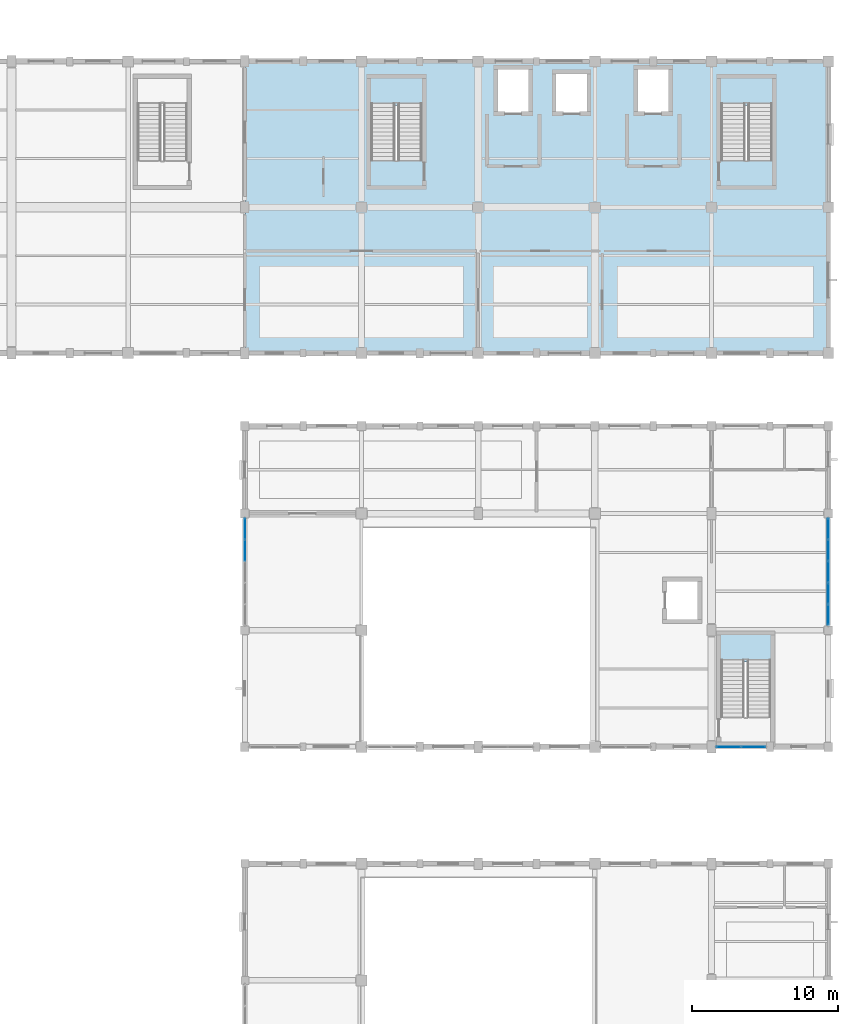
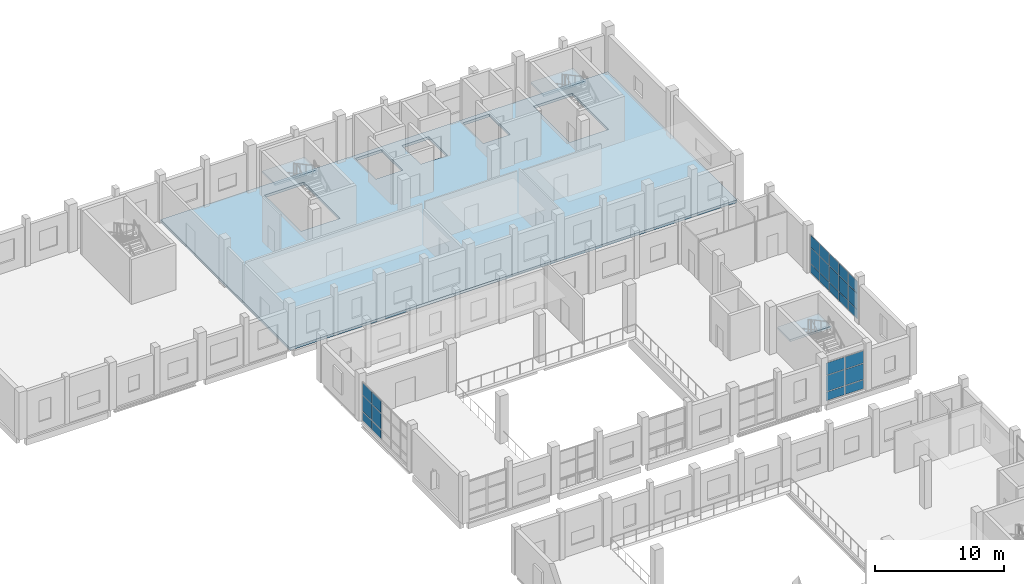
# One storey, part 130 of 183: 27 plates, 4 slabs, 6 elements without a shape of their own.
"""IFC4 building model written with IfcOpenShell, lengths in metres."""

from ifc_helpers import new_model, si_unit, direction, frame, origin, origin_2d, place, context, subcontext, project, spatial, polyline, rectangle, outline, extrude, material, layer, layer_set, type_object, element, aggregate, save


model = new_model("IFC4")

# Units and contexts
model_context = context("Model", 3, precision=1e-05, world=origin(), true_north=direction((0.0, 1.0)))
body_context = subcontext(model_context, "Body", "Model", "MODEL_VIEW")
ifc_project = project(units=[si_unit("LENGTHUNIT", "METRE"), si_unit("AREAUNIT", "SQUARE_METRE"), si_unit("VOLUMEUNIT", "CUBIC_METRE"), si_unit("PLANEANGLEUNIT", "RADIAN"), si_unit("MASSUNIT", "GRAM", prefix="KILO")], contexts=[model_context])

# Site, building, storey
site_placement = place(None, origin())
site = spatial("IfcSite", under=ifc_project, at=site_placement, CompositionType="ELEMENT")
building_placement = place(site_placement, origin())
building = spatial("IfcBuilding", under=site, at=building_placement, Name="Luwemba Playhouse", CompositionType="ELEMENT")
storey_placement = place(building_placement, frame((0.0, 0.0, 4.800048828125)))
storey = spatial("IfcBuildingStorey", under=building, at=storey_placement, Name="L01", CompositionType="ELEMENT", Elevation=4.800048828125)

# Curtain wall, plates
ifc_material_1 = material(Name="Solar-control double glazing", Category="glass")
curtain_wall_type_1 = type_object("IfcCurtainWallType", Name="CW-CW84", PredefinedType="USERDEFINED", material=ifc_material_1)
curtain_wall_1_placement = place(storey_placement, origin())
curtain_wall_1 = element("IfcCurtainWall", 1, at=curtain_wall_1_placement, inside=storey, type_object=curtain_wall_type_1, Name="L01 V4 unitised curtain wall 114", ObjectType="UNITISED GLAZING", PredefinedType="USERDEFINED")
ifc_layer_1 = layer(ifc_material_1, 0.02392578125)
ifc_layer_set_1 = layer_set([ifc_layer_1], Name="Solar-control double glazing")
plate_type_1 = type_object("IfcPlateType", Name="CWP-P1", PredefinedType="CURTAIN_PANEL", material=ifc_layer_set_1)
plate_1_placement = place(storey_placement, frame((166.87255859375, 68.0, 0.059814453125), z_axis=(0.0, 0.0, 1.0), x_axis=(-1.0, 0.0, 0.0)))
plate_1 = element("IfcPlate", 2, at=plate_1_placement, type_object=plate_type_1, Name="CW84 panel 1.1", PredefinedType="CURTAIN_PANEL", context=body_context, shape_type="SweptSolid", body=[
    extrude(rectangle(XDim=1.635009765625, YDim=0.02392578125, at=origin_2d()), origin(), (0.0, 0.0, 1.0), 0.81005859375),
])
plate_2_placement = place(storey_placement, frame((166.87255859375, 68.0, 0.93017578125), z_axis=(0.0, 0.0, 1.0), x_axis=(-1.0, 0.0, 0.0)))
plate_2 = element("IfcPlate", 3, at=plate_2_placement, type_object=plate_type_1, Name="CW84 panel 1.2", PredefinedType="CURTAIN_PANEL", context=body_context, shape_type="SweptSolid", body=[
    extrude(rectangle(XDim=1.635009765625, YDim=0.02392578125, at=origin_2d()), origin(), (0.0, 0.0, 1.0), 1.489990234375),
])
plate_3_placement = place(storey_placement, frame((166.87255859375, 68.0, 2.47998046875), z_axis=(0.0, 0.0, 1.0), x_axis=(-1.0, 0.0, 0.0)))
plate_3 = element("IfcPlate", 4, at=plate_3_placement, type_object=plate_type_1, Name="CW84 panel 1.3", PredefinedType="CURTAIN_PANEL", context=body_context, shape_type="SweptSolid", body=[
    extrude(rectangle(XDim=1.635009765625, YDim=0.02392578125, at=origin_2d()), origin(), (0.0, 0.0, 1.0), 1.14501953125),
])
plate_4_placement = place(storey_placement, frame((165.177490234375, 68.0, 0.059814453125), z_axis=(0.0, 0.0, 1.0), x_axis=(-1.0, 0.0, 0.0)))
plate_4 = element("IfcPlate", 5, at=plate_4_placement, type_object=plate_type_1, Name="CW84 panel 2.1", PredefinedType="CURTAIN_PANEL", context=body_context, shape_type="SweptSolid", body=[
    extrude(rectangle(XDim=1.635009765625, YDim=0.02392578125, at=origin_2d()), origin(), (0.0, 0.0, 1.0), 0.81005859375),
])
plate_5_placement = place(storey_placement, frame((165.177490234375, 68.0, 0.93017578125), z_axis=(0.0, 0.0, 1.0), x_axis=(-1.0, 0.0, 0.0)))
plate_5 = element("IfcPlate", 6, at=plate_5_placement, type_object=plate_type_1, Name="CW84 panel 2.2", PredefinedType="CURTAIN_PANEL", context=body_context, shape_type="SweptSolid", body=[
    extrude(rectangle(XDim=1.635009765625, YDim=0.02392578125, at=origin_2d()), origin(), (0.0, 0.0, 1.0), 1.489990234375),
])
plate_6_placement = place(storey_placement, frame((165.177490234375, 68.0, 2.47998046875), z_axis=(0.0, 0.0, 1.0), x_axis=(-1.0, 0.0, 0.0)))
plate_6 = element("IfcPlate", 7, at=plate_6_placement, type_object=plate_type_1, Name="CW84 panel 2.3", PredefinedType="CURTAIN_PANEL", context=body_context, shape_type="SweptSolid", body=[
    extrude(rectangle(XDim=1.635009765625, YDim=0.02392578125, at=origin_2d()), origin(), (0.0, 0.0, 1.0), 1.14501953125),
])
aggregate(curtain_wall_1, [plate_1, plate_2, plate_3, plate_4, plate_5, plate_6])

curtain_wall_type_2 = type_object("IfcCurtainWallType", Name="CW-CW82", PredefinedType="USERDEFINED", material=ifc_material_1)
curtain_wall_2_placement = place(storey_placement, origin())
curtain_wall_2 = element("IfcCurtainWall", 8, at=curtain_wall_2_placement, inside=storey, type_object=curtain_wall_type_2, Name="L01 V4 unitised curtain wall 112", ObjectType="UNITISED GLAZING", PredefinedType="USERDEFINED")
ifc_layer_2 = layer(ifc_material_1, 0.031982421875)
ifc_layer_set_2 = layer_set([ifc_layer_2], Name="Solar-control double glazing")
plate_type_2 = type_object("IfcPlateType", Name="CWP-P3", PredefinedType="CURTAIN_PANEL", material=ifc_layer_set_2)
plate_7_placement = place(storey_placement, frame((132.0, 81.47998046875, 0.06494140625), z_axis=(0.0, 0.0, 1.0), x_axis=(0.0, 1.0, 0.0)))
plate_7 = element("IfcPlate", 9, at=plate_7_placement, type_object=plate_type_2, Name="CW82 panel 4.1", PredefinedType="CURTAIN_PANEL", context=body_context, shape_type="SweptSolid", body=[
    extrude(rectangle(XDim=1.425048828125, YDim=0.031982421875, at=origin_2d()), origin(), (0.0, 0.0, 1.0), 0.802490234375),
])
plate_8_placement = place(storey_placement, frame((132.0, 81.47998046875, 0.9326171875), z_axis=(0.0, 0.0, 1.0), x_axis=(0.0, 1.0, 0.0)))
plate_8 = element("IfcPlate", 10, at=plate_8_placement, type_object=plate_type_2, Name="CW82 panel 4.2", PredefinedType="CURTAIN_PANEL", context=body_context, shape_type="SweptSolid", body=[
    extrude(rectangle(XDim=1.425048828125, YDim=0.031982421875, at=origin_2d()), origin(), (0.0, 0.0, 1.0), 1.485107421875),
])
plate_9_placement = place(storey_placement, frame((132.0, 81.47998046875, 2.482421875), z_axis=(0.0, 0.0, 1.0), x_axis=(0.0, 1.0, 0.0)))
plate_9 = element("IfcPlate", 11, at=plate_9_placement, type_object=plate_type_2, Name="CW82 panel 4.3", PredefinedType="CURTAIN_PANEL", context=body_context, shape_type="SweptSolid", body=[
    extrude(rectangle(XDim=1.425048828125, YDim=0.031982421875, at=origin_2d()), origin(), (0.0, 0.0, 1.0), 1.137451171875),
])
plate_10_placement = place(storey_placement, frame((132.0, 82.9462890625, 0.06494140625), z_axis=(0.0, 0.0, 1.0), x_axis=(0.0, 1.0, 0.0)))
plate_10 = element("IfcPlate", 12, at=plate_10_placement, type_object=plate_type_2, Name="CW82 panel 5.1", PredefinedType="CURTAIN_PANEL", context=body_context, shape_type="SweptSolid", body=[
    extrude(rectangle(XDim=1.3974609375, YDim=0.031982421875, at=origin_2d()), origin(), (0.0, 0.0, 1.0), 0.802490234375),
])
plate_11_placement = place(storey_placement, frame((132.0, 82.9462890625, 0.9326171875), z_axis=(0.0, 0.0, 1.0), x_axis=(0.0, 1.0, 0.0)))
plate_11 = element("IfcPlate", 13, at=plate_11_placement, type_object=plate_type_2, Name="CW82 panel 5.2", PredefinedType="CURTAIN_PANEL", context=body_context, shape_type="SweptSolid", body=[
    extrude(rectangle(XDim=1.3974609375, YDim=0.031982421875, at=origin_2d()), origin(), (0.0, 0.0, 1.0), 1.485107421875),
])
plate_12_placement = place(storey_placement, frame((132.0, 82.9462890625, 2.482421875), z_axis=(0.0, 0.0, 1.0), x_axis=(0.0, 1.0, 0.0)))
plate_12 = element("IfcPlate", 14, at=plate_12_placement, type_object=plate_type_2, Name="CW82 panel 5.3", PredefinedType="CURTAIN_PANEL", context=body_context, shape_type="SweptSolid", body=[
    extrude(rectangle(XDim=1.3974609375, YDim=0.031982421875, at=origin_2d()), origin(), (0.0, 0.0, 1.0), 1.137451171875),
])
aggregate(curtain_wall_2, [plate_7, plate_8, plate_9, plate_10, plate_11, plate_12])

curtain_wall_type_3 = type_object("IfcCurtainWallType", Name="CW-CW83", PredefinedType="USERDEFINED", material=ifc_material_1)
curtain_wall_3_placement = place(storey_placement, origin())
curtain_wall_3 = element("IfcCurtainWall", 15, at=curtain_wall_3_placement, inside=storey, type_object=curtain_wall_type_3, Name="L01 V4 unitised curtain wall 113", ObjectType="UNITISED GLAZING", PredefinedType="USERDEFINED")
ifc_layer_3 = layer(ifc_material_1, 0.035888671875)
ifc_layer_set_3 = layer_set([ifc_layer_3], Name="Solar-control double glazing")
plate_type_3 = type_object("IfcPlateType", Name="CWP-P4", PredefinedType="CURTAIN_PANEL", material=ifc_layer_set_3)
plate_13_placement = place(storey_placement, frame((172.0, 82.9423828125, 0.0498046875), z_axis=(0.0, 0.0, 1.0), x_axis=(0.0, -1.0, 0.0)))
plate_13 = element("IfcPlate", 16, at=plate_13_placement, type_object=plate_type_3, Name="CW83 panel 1.1", PredefinedType="CURTAIN_PANEL", context=body_context, shape_type="SweptSolid", body=[
    extrude(rectangle(XDim=1.375, YDim=0.035888671875, at=origin_2d()), origin(), (0.0, 0.0, 1.0), 0.824951171875),
])
plate_14_placement = place(storey_placement, frame((172.0, 82.9423828125, 0.925048828125), z_axis=(0.0, 0.0, 1.0), x_axis=(0.0, -1.0, 0.0)))
plate_14 = element("IfcPlate", 17, at=plate_14_placement, type_object=plate_type_3, Name="CW83 panel 1.2", PredefinedType="CURTAIN_PANEL", context=body_context, shape_type="SweptSolid", body=[
    extrude(rectangle(XDim=1.375, YDim=0.035888671875, at=origin_2d()), origin(), (0.0, 0.0, 1.0), 1.5),
])
plate_15_placement = place(storey_placement, frame((172.0, 82.9423828125, 2.47509765625), z_axis=(0.0, 0.0, 1.0), x_axis=(0.0, -1.0, 0.0)))
plate_15 = element("IfcPlate", 18, at=plate_15_placement, type_object=plate_type_3, Name="CW83 panel 1.3", PredefinedType="CURTAIN_PANEL", context=body_context, shape_type="SweptSolid", body=[
    extrude(rectangle(XDim=1.375, YDim=0.035888671875, at=origin_2d()), origin(), (0.0, 0.0, 1.0), 1.110107421875),
])
plate_16_placement = place(storey_placement, frame((172.0, 81.47998046875, 0.0498046875), z_axis=(0.0, 0.0, 1.0), x_axis=(0.0, -1.0, 0.0)))
plate_16 = element("IfcPlate", 19, at=plate_16_placement, type_object=plate_type_3, Name="CW83 panel 2.1", PredefinedType="CURTAIN_PANEL", context=body_context, shape_type="SweptSolid", body=[
    extrude(rectangle(XDim=1.409912109375, YDim=0.035888671875, at=origin_2d()), origin(), (0.0, 0.0, 1.0), 0.824951171875),
])
plate_17_placement = place(storey_placement, frame((172.0, 81.47998046875, 0.925048828125), z_axis=(0.0, 0.0, 1.0), x_axis=(0.0, -1.0, 0.0)))
plate_17 = element("IfcPlate", 20, at=plate_17_placement, type_object=plate_type_3, Name="CW83 panel 2.2", PredefinedType="CURTAIN_PANEL", context=body_context, shape_type="SweptSolid", body=[
    extrude(rectangle(XDim=1.409912109375, YDim=0.035888671875, at=origin_2d()), origin(), (0.0, 0.0, 1.0), 1.5),
])
plate_18_placement = place(storey_placement, frame((172.0, 81.47998046875, 2.47509765625), z_axis=(0.0, 0.0, 1.0), x_axis=(0.0, -1.0, 0.0)))
plate_18 = element("IfcPlate", 21, at=plate_18_placement, type_object=plate_type_3, Name="CW83 panel 2.3", PredefinedType="CURTAIN_PANEL", context=body_context, shape_type="SweptSolid", body=[
    extrude(rectangle(XDim=1.409912109375, YDim=0.035888671875, at=origin_2d()), origin(), (0.0, 0.0, 1.0), 1.110107421875),
])
plate_19_placement = place(storey_placement, frame((172.0, 80.0, 0.0498046875), z_axis=(0.0, 0.0, 1.0), x_axis=(0.0, -1.0, 0.0)))
plate_19 = element("IfcPlate", 22, at=plate_19_placement, type_object=plate_type_3, Name="CW83 panel 3.1", PredefinedType="CURTAIN_PANEL", context=body_context, shape_type="SweptSolid", body=[
    extrude(rectangle(XDim=1.409912109375, YDim=0.035888671875, at=origin_2d()), origin(), (0.0, 0.0, 1.0), 0.824951171875),
])
plate_20_placement = place(storey_placement, frame((172.0, 80.0, 0.925048828125), z_axis=(0.0, 0.0, 1.0), x_axis=(0.0, -1.0, 0.0)))
plate_20 = element("IfcPlate", 23, at=plate_20_placement, type_object=plate_type_3, Name="CW83 panel 3.2", PredefinedType="CURTAIN_PANEL", context=body_context, shape_type="SweptSolid", body=[
    extrude(rectangle(XDim=1.409912109375, YDim=0.035888671875, at=origin_2d()), origin(), (0.0, 0.0, 1.0), 1.5),
])
plate_21_placement = place(storey_placement, frame((172.0, 80.0, 2.47509765625), z_axis=(0.0, 0.0, 1.0), x_axis=(0.0, -1.0, 0.0)))
plate_21 = element("IfcPlate", 24, at=plate_21_placement, type_object=plate_type_3, Name="CW83 panel 3.3", PredefinedType="CURTAIN_PANEL", context=body_context, shape_type="SweptSolid", body=[
    extrude(rectangle(XDim=1.409912109375, YDim=0.035888671875, at=origin_2d()), origin(), (0.0, 0.0, 1.0), 1.110107421875),
])
plate_22_placement = place(storey_placement, frame((172.0, 78.52001953125, 0.0498046875), z_axis=(0.0, 0.0, 1.0), x_axis=(0.0, -1.0, 0.0)))
plate_22 = element("IfcPlate", 25, at=plate_22_placement, type_object=plate_type_3, Name="CW83 panel 4.1", PredefinedType="CURTAIN_PANEL", context=body_context, shape_type="SweptSolid", body=[
    extrude(rectangle(XDim=1.409912109375, YDim=0.035888671875, at=origin_2d()), origin(), (0.0, 0.0, 1.0), 0.824951171875),
])
plate_23_placement = place(storey_placement, frame((172.0, 78.52001953125, 0.925048828125), z_axis=(0.0, 0.0, 1.0), x_axis=(0.0, -1.0, 0.0)))
plate_23 = element("IfcPlate", 26, at=plate_23_placement, type_object=plate_type_3, Name="CW83 panel 4.2", PredefinedType="CURTAIN_PANEL", context=body_context, shape_type="SweptSolid", body=[
    extrude(rectangle(XDim=1.409912109375, YDim=0.035888671875, at=origin_2d()), origin(), (0.0, 0.0, 1.0), 1.5),
])
plate_24_placement = place(storey_placement, frame((172.0, 78.52001953125, 2.47509765625), z_axis=(0.0, 0.0, 1.0), x_axis=(0.0, -1.0, 0.0)))
plate_24 = element("IfcPlate", 27, at=plate_24_placement, type_object=plate_type_3, Name="CW83 panel 4.3", PredefinedType="CURTAIN_PANEL", context=body_context, shape_type="SweptSolid", body=[
    extrude(rectangle(XDim=1.409912109375, YDim=0.035888671875, at=origin_2d()), origin(), (0.0, 0.0, 1.0), 1.110107421875),
])
plate_25_placement = place(storey_placement, frame((172.0, 77.0576171875, 0.0498046875), z_axis=(0.0, 0.0, 1.0), x_axis=(0.0, -1.0, 0.0)))
plate_25 = element("IfcPlate", 28, at=plate_25_placement, type_object=plate_type_3, Name="CW83 panel 5.1", PredefinedType="CURTAIN_PANEL", context=body_context, shape_type="SweptSolid", body=[
    extrude(rectangle(XDim=1.375, YDim=0.035888671875, at=origin_2d()), origin(), (0.0, 0.0, 1.0), 0.824951171875),
])
plate_26_placement = place(storey_placement, frame((172.0, 77.0576171875, 0.925048828125), z_axis=(0.0, 0.0, 1.0), x_axis=(0.0, -1.0, 0.0)))
plate_26 = element("IfcPlate", 29, at=plate_26_placement, type_object=plate_type_3, Name="CW83 panel 5.2", PredefinedType="CURTAIN_PANEL", context=body_context, shape_type="SweptSolid", body=[
    extrude(rectangle(XDim=1.375, YDim=0.035888671875, at=origin_2d()), origin(), (0.0, 0.0, 1.0), 1.5),
])
plate_27_placement = place(storey_placement, frame((172.0, 77.0576171875, 2.47509765625), z_axis=(0.0, 0.0, 1.0), x_axis=(0.0, -1.0, 0.0)))
plate_27 = element("IfcPlate", 30, at=plate_27_placement, type_object=plate_type_3, Name="CW83 panel 5.3", PredefinedType="CURTAIN_PANEL", context=body_context, shape_type="SweptSolid", body=[
    extrude(rectangle(XDim=1.375, YDim=0.035888671875, at=origin_2d()), origin(), (0.0, 0.0, 1.0), 1.110107421875),
])
aggregate(curtain_wall_3, [plate_13, plate_14, plate_15, plate_16, plate_17, plate_18, plate_19, plate_20, plate_21, plate_22, plate_23, plate_24, plate_25, plate_26, plate_27])

# Slab
ifc_material_2 = material(Name="Concrete C40/50", Category="concrete")
ifc_layer_4 = layer(ifc_material_2, 0.25)
ifc_layer_set_4 = layer_set([ifc_layer_4], Name="Concrete C40/50")
slab_type_1 = type_object("IfcSlabType", Name="SLB-FLR-250", PredefinedType="FLOOR", material=ifc_layer_set_4)
slab_1_placement = place(storey_placement, frame((0.0, 0.0, -0.25)))
element("IfcSlab", 31, at=slab_1_placement, inside=storey, type_object=slab_type_1, Name="L01 V6E structural floor slab", PredefinedType="FLOOR", context=body_context, shape_type="SweptSolid", body=[
    extrude(outline(polyline([(172.0, 115.0), (172.0, 95.0), (132.030029296875, 95.0), (132.030029296875, 115.0), (172.0, 115.0)]), holes=[polyline([(140.64990234375, 108.199951171875), (144.14990234375, 108.199951171875), (144.14990234375, 113.820068359375), (140.64990234375, 113.820068359375), (140.64990234375, 108.199951171875)]), polyline([(164.64990234375, 108.199951171875), (168.14990234375, 108.199951171875), (168.14990234375, 113.820068359375), (164.64990234375, 113.820068359375), (164.64990234375, 108.199951171875)]), polyline([(153.199951171875, 111.39990234375), (155.60009765625, 111.39990234375), (155.60009765625, 114.300048828125), (153.199951171875, 114.300048828125), (153.199951171875, 111.39990234375)]), polyline([(149.199951171875, 114.60009765625), (149.199951171875, 111.39990234375), (151.60009765625, 111.39990234375), (151.60009765625, 114.60009765625), (149.199951171875, 114.60009765625)]), polyline([(158.800048828125, 114.60009765625), (158.800048828125, 111.39990234375), (161.199951171875, 111.39990234375), (161.199951171875, 114.60009765625), (158.800048828125, 114.60009765625)])]), origin(), (0.0, 0.0, 1.0), 0.25),
])

# Stair, slab
stair_type_1 = type_object("IfcStairType", Name="STR-DL-06", PredefinedType="HALF_TURN_STAIR", material=ifc_material_2)
stair_1_placement = place(storey_placement, origin())
stair_1 = element("IfcStair", 32, at=stair_1_placement, inside=storey, type_object=stair_type_1, Name="L01 Black-Box Firefighting Escape Stair", PredefinedType="HALF_TURN_STAIR")
ifc_layer_5 = layer(ifc_material_2, 0.215087890625)
ifc_layer_set_5 = layer_set([ifc_layer_5], Name="Concrete C40/50")
slab_type_2 = type_object("IfcSlabType", Name="SLB-LND-215", PredefinedType="LANDING", material=ifc_layer_set_5)
slab_2_placement = place(storey_placement, frame((0.0, 0.0, 2.050048828125)))
slab_2 = element("IfcSlab", 33, at=slab_2_placement, type_object=slab_type_2, Name="ST-07 landing 1", PredefinedType="LANDING", context=body_context, shape_type="SweptSolid", body=[
    extrude(outline(polyline([(168.18994140625, 73.820068359375), (164.510009765625, 73.820068359375), (164.510009765625, 75.800048828125), (168.18994140625, 75.800048828125), (168.18994140625, 73.820068359375)])), origin(), (0.0, 0.0, 1.0), 0.199951171875),
])
aggregate(stair_1, [slab_2])

stair_type_2 = type_object("IfcStairType", Name="STR-DL-04", PredefinedType="HALF_TURN_STAIR", material=ifc_material_2)
stair_2_placement = place(storey_placement, origin())
stair_2 = element("IfcStair", 34, at=stair_2_placement, inside=storey, type_object=stair_type_2, Name="L01 Conservatory Firefighting Escape Stair", PredefinedType="HALF_TURN_STAIR")
slab_3_placement = place(storey_placement, frame((0.0, 0.0, 2.050048828125)))
slab_3 = element("IfcSlab", 35, at=slab_3_placement, type_object=slab_type_2, Name="ST-09 landing 1", PredefinedType="LANDING", context=body_context, shape_type="SweptSolid", body=[
    extrude(outline(polyline([(144.2900390625, 111.97998046875), (140.510009765625, 111.97998046875), (140.510009765625, 113.9599609375), (144.2900390625, 113.9599609375), (144.2900390625, 111.97998046875)])), origin(), (0.0, 0.0, 1.0), 0.199951171875),
])
aggregate(stair_2, [slab_3])

stair_3_placement = place(storey_placement, origin())
stair_3 = element("IfcStair", 36, at=stair_3_placement, inside=storey, type_object=stair_type_2, Name="L01 Conservatory East Escape Stair", PredefinedType="HALF_TURN_STAIR")
slab_4_placement = place(storey_placement, frame((0.0, 0.0, 2.050048828125)))
slab_4 = element("IfcSlab", 37, at=slab_4_placement, type_object=slab_type_2, Name="ST-10 landing 1", PredefinedType="LANDING", context=body_context, shape_type="SweptSolid", body=[
    extrude(outline(polyline([(168.2900390625, 111.97998046875), (164.510009765625, 111.97998046875), (164.510009765625, 113.9599609375), (168.2900390625, 113.9599609375), (168.2900390625, 111.97998046875)])), origin(), (0.0, 0.0, 1.0), 0.199951171875),
])
aggregate(stair_3, [slab_4])

save(model, "model.ifc")
